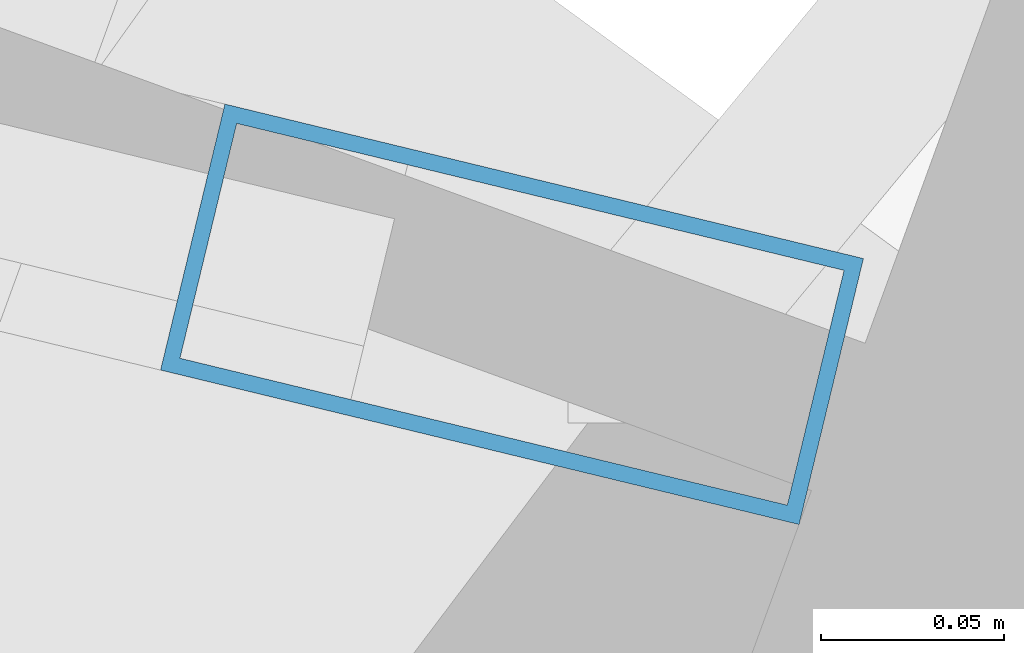
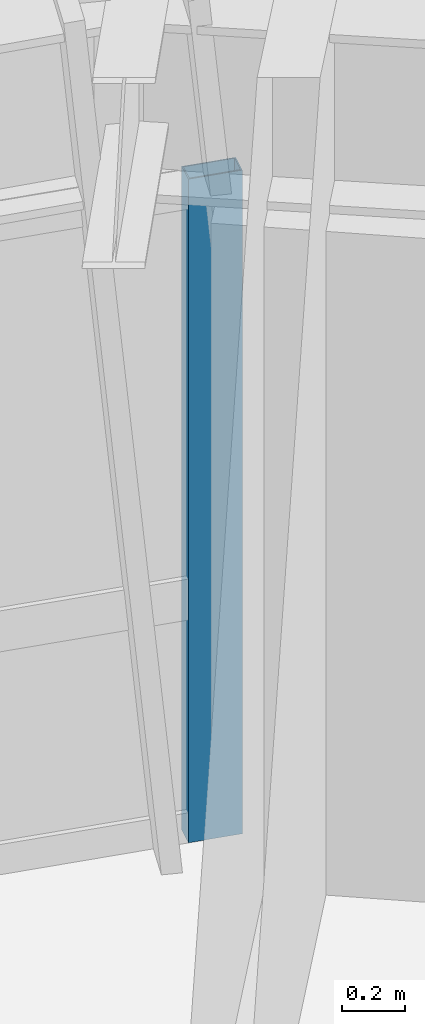
# One storey, part 13 of 24: 1 member, 1 element without a shape of its own.
"""IFC4 building model written with IfcOpenShell, lengths in metres."""

from ifc_helpers import new_model, si_unit, direction, frame, origin, origin_2d, place, context, subcontext, project, spatial, hollow_rectangle, extrude, source, transform, mapped, material, material_profile, profile_set, type_object, element, aggregate, save


model = new_model("IFC4")

# Units and contexts
model_context = context("Model", 3, precision=1e-05, world=origin(), true_north=direction((0.0, 1.0)))
body_context = subcontext(model_context, "Body", "Model", "MODEL_VIEW")
ifc_project = project(units=[si_unit("LENGTHUNIT", "METRE"), si_unit("AREAUNIT", "SQUARE_METRE"), si_unit("VOLUMEUNIT", "CUBIC_METRE"), si_unit("PLANEANGLEUNIT", "RADIAN"), si_unit("MASSUNIT", "GRAM", prefix="KILO")], contexts=[model_context])

# Site, building, storey
site_placement = place(None, origin())
site = spatial("IfcSite", under=ifc_project, at=site_placement, CompositionType="ELEMENT")
building_placement = place(site_placement, origin())
building = spatial("IfcBuilding", under=site, at=building_placement, Name="Olszyna Solenne Hotel", CompositionType="ELEMENT")
storey_placement = place(building_placement, frame((0.0, 0.0, 29.300048828125)))
storey = spatial("IfcBuildingStorey", under=building, at=storey_placement, Name="L06", CompositionType="ELEMENT", Elevation=29.300048828125)

# Curtain wall, member
ifc_material = material(Name="Anodised bronze aluminium", Category="aluminium")
curtain_wall_type = type_object("IfcCurtainWallType", Name="CW-SYS-2", PredefinedType="NOTDEFINED", material=ifc_material)
curtain_wall_placement = place(storey_placement, origin())
curtain_wall = element("IfcCurtainWall", 1, at=curtain_wall_placement, inside=storey, type_object=curtain_wall_type, Name="Unitised curtain wall CW-SYS-2 CW-L06-02", PredefinedType="NOTDEFINED")
ifc_material_profile = material_profile(ifc_material, hollow_rectangle(XDim=0.074951171875, YDim=0.179931640625, WallThickness=0.00439453125, at=origin_2d()), Name="MULL 180x75x4.5", Category="load-bearing")
ifc_profile_set = profile_set([ifc_material_profile], Name="Anodised bronze aluminium")
member_type = type_object("IfcMemberType", Name="CW-M2", PredefinedType="MULLION", material=ifc_profile_set)
shared_shape = source(origin(), body_context, "Body", "SweptSolid", [
    extrude(hollow_rectangle(XDim=0.074951171875, YDim=0.179931640625, WallThickness=0.00439453125, at=origin_2d()), origin(), (0.0, 0.0, 1.0), 2.592041015625),
])
member_placement = place(storey_placement, frame((49.818115234375, 42.814208984375, 0.0), z_axis=(0.0, 0.0, 1.0), x_axis=(0.235108450794, 0.971969143731, 0.0)))
member = element("IfcMember", 2, at=member_placement, type_object=member_type, Name="Curtain-wall mullion CW-M2 CM-L06-02-04", PredefinedType="MULLION", context=body_context, shape_type="MappedRepresentation", body=[
    mapped(shared_shape, transform((0.0, 0.0, 0.0), x_axis=(1.0, 0.0, 0.0), y_axis=(0.0, 1.0, 0.0), z_axis=(0.0, 0.0, 1.0), scale=1.0)),
])
aggregate(curtain_wall, [member])

save(model, "model.ifc")
